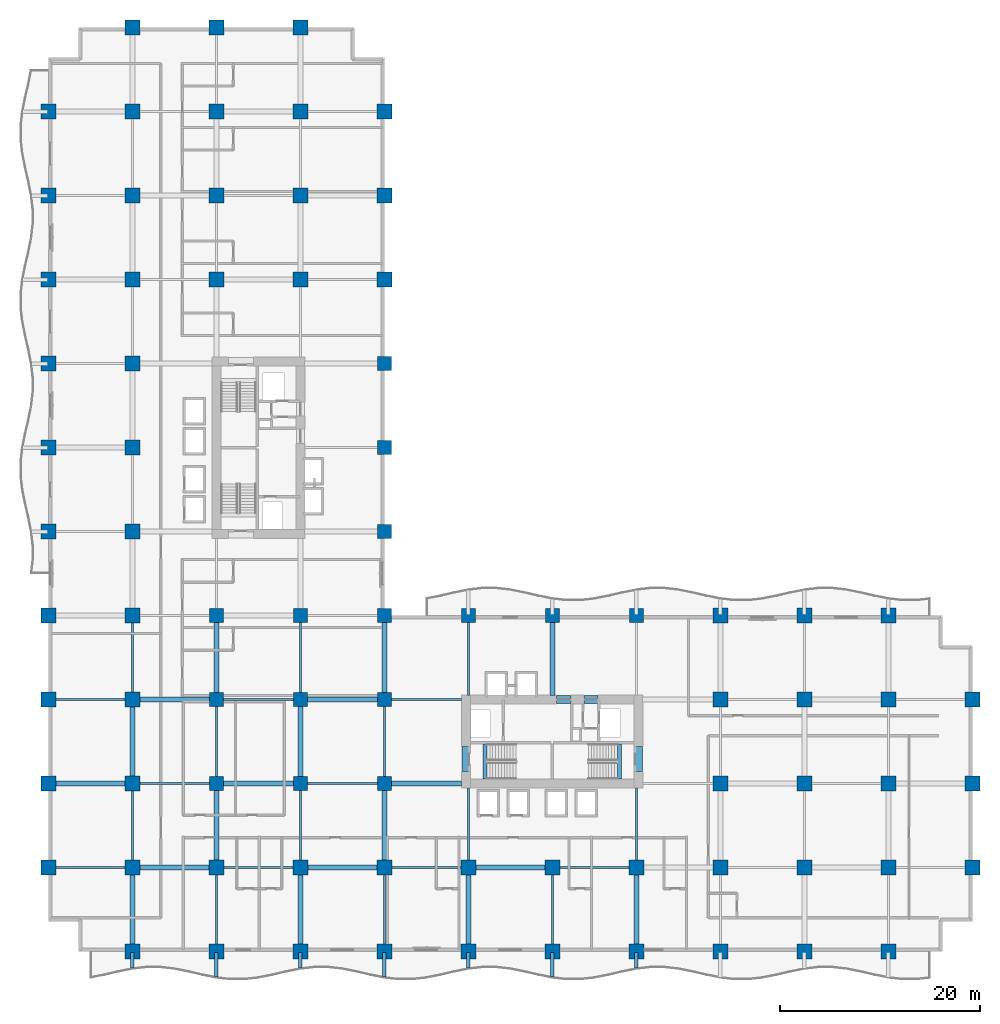
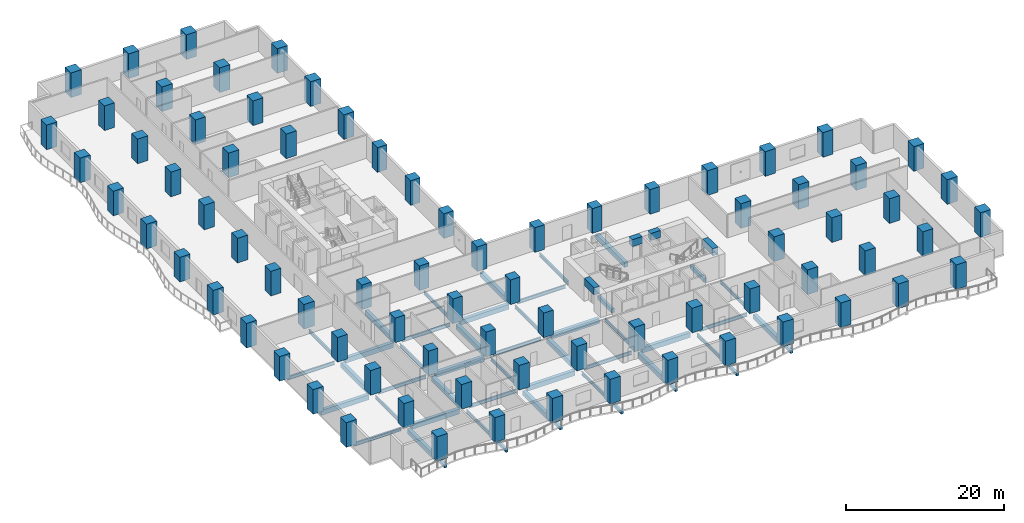
# One storey, part 1 of 20: 78 columns, 53 beams.
"""IFC4 building model written with IfcOpenShell, lengths in metres."""

from ifc_helpers import new_model, si_unit, direction, frame, origin, origin_2d, place, context, subcontext, project, spatial, rectangle, i_section, extrude, material, material_profile, profile_set, type_object, element, save


model = new_model("IFC4")

# Units and contexts
model_context = context("Model", 3, precision=1e-05, world=origin(), true_north=direction((0.0, 1.0)))
body_context = subcontext(model_context, "Body", "Model", "MODEL_VIEW")
ifc_project = project(units=[si_unit("LENGTHUNIT", "METRE"), si_unit("AREAUNIT", "SQUARE_METRE"), si_unit("VOLUMEUNIT", "CUBIC_METRE"), si_unit("PLANEANGLEUNIT", "RADIAN"), si_unit("MASSUNIT", "GRAM", prefix="KILO")], contexts=[model_context])

# Site, building, storey
site_placement = place(None, origin())
site = spatial("IfcSite", under=ifc_project, at=site_placement, CompositionType="ELEMENT")
building_placement = place(site_placement, origin())
building = spatial("IfcBuilding", under=site, at=building_placement, Name="Koriwani Terraces Tower", CompositionType="ELEMENT")
storey_placement = place(building_placement, frame((0.0, 0.0, 58.60009765625)))
storey = spatial("IfcBuildingStorey", under=building, at=storey_placement, Name="L13", CompositionType="ELEMENT", Elevation=58.60009765625)

# Columns
ifc_material_1 = material(Name="Concrete C60/75", Category="concrete")
ifc_material_profile_1 = material_profile(ifc_material_1, rectangle(XDim=1.39990234375, YDim=1.39990234375, at=origin_2d()), Name="Concrete C60/75", Category="LoadBearing")
ifc_profile_set_1 = profile_set([ifc_material_profile_1], Name="Concrete C60/75")
column_type_1 = type_object("IfcColumnType", Name="COL_RC_1400X1400", PredefinedType="COLUMN", material=ifc_profile_set_1)
for number, where, z_axis, x_axis, name in (
    (1, (16.800048828125, 16.800048828125, 0.0), (0.0, 0.0, 1.0), (1.0, 0.0, 0.0), "L13 Column 3/C"),
    (2, (16.800048828125, 25.199951171875, 0.0), (0.0, 0.0, 1.0), (1.0, 0.0, 0.0), "L13 Column 3/D"),
    (3, (16.800048828125, 33.60009765625, 0.0), (0.0, 0.0, 1.0), (1.0, 0.0, 0.0), "L13 Column 3/E"),
    (4, (25.199951171875, 16.800048828125, 0.0), (0.0, 0.0, 1.0), (1.0, 0.0, 0.0), "L13 Column 4/C"),
    (5, (25.199951171875, 25.199951171875, 0.0), (0.0, 0.0, 1.0), (1.0, 0.0, 0.0), "L13 Column 4/D"),
    (6, (25.199951171875, 33.60009765625, 0.0), (0.0, 0.0, 1.0), (1.0, 0.0, 0.0), "L13 Column 4/E"),
    (7, (33.60009765625, 16.800048828125, 0.0), (0.0, 0.0, 1.0), (1.0, 0.0, 0.0), "L13 Column 5/C"),
    (8, (33.60009765625, 25.199951171875, 0.0), (0.0, 0.0, 1.0), (1.0, 0.0, 0.0), "L13 Column 5/D"),
    (9, (33.60009765625, 33.60009765625, 0.0), (0.0, 0.0, 1.0), (1.0, 0.0, 0.0), "L13 Column 5/E"),
    (10, (33.60009765625, 42.0, 0.0), (0.0, 0.0, 1.0), (1.0, 0.0, 0.0), "L13 Column 5/F"),
    (11, (33.60009765625, 50.39990234375, 0.0), (0.0, 0.0, 1.0), (1.0, 0.0, 0.0), "L13 Column 5/G"),
    (12, (33.60009765625, 58.800048828125, 0.0), (0.0, 0.0, 1.0), (1.0, 0.0, 0.0), "L13 Column 5/H"),
    (13, (42.0, 33.60009765625, 0.0), (0.0, 0.0, 1.0), (1.0, 0.0, 0.0), "L13 Column 6/E"),
    (14, (50.39990234375, 33.60009765625, 0.0), (0.0, 0.0, 1.0), (1.0, 0.0, 0.0), "L13 Column 7/E"),
    (15, (58.800048828125, 33.60009765625, 0.0), (0.0, 0.0, 1.0), (1.0, 0.0, 0.0), "L13 Column 8/E"),
):
    element("IfcColumn", number, at=place(storey_placement, frame(where, z_axis=z_axis, x_axis=x_axis)), inside=storey, type_object=column_type_1, Name=name, PredefinedType="COLUMN", context=body_context, shape_type="SweptSolid", body=[
        extrude(rectangle(XDim=1.39990234375, YDim=1.39990234375, at=origin_2d()), origin(), (0.0, 0.0, 1.0), 3.7998046875),
    ])
ifc_material_profile_2 = material_profile(ifc_material_1, rectangle(XDim=1.5, YDim=1.5, at=origin_2d()), Name="Concrete C60/75", Category="LoadBearing")
ifc_profile_set_2 = profile_set([ifc_material_profile_2], Name="Concrete C60/75")
column_type_2 = type_object("IfcColumnType", Name="COL_RC_1500X1500", PredefinedType="COLUMN", material=ifc_profile_set_2)
for number, where, z_axis, x_axis, name in (
    (16, (0.0, 8.39990234375, 0.0), (0.0, 0.0, 1.0), (1.0, 0.0, 0.0), "L13 Column 1/B"),
    (17, (0.0, 16.800048828125, 0.0), (0.0, 0.0, 1.0), (1.0, 0.0, 0.0), "L13 Column 1/C"),
    (18, (0.0, 25.199951171875, 0.0), (0.0, 0.0, 1.0), (1.0, 0.0, 0.0), "L13 Column 1/D"),
    (19, (0.0, 33.60009765625, 0.0), (0.0, 0.0, 1.0), (1.0, 0.0, 0.0), "L13 Column 1/E"),
    (20, (0.0, 42.0, 0.0), (0.0, 0.0, 1.0), (1.0, 0.0, 0.0), "L13 Column 1/F"),
    (21, (0.0, 50.39990234375, 0.0), (0.0, 0.0, 1.0), (1.0, 0.0, 0.0), "L13 Column 1/G"),
    (22, (0.0, 58.800048828125, 0.0), (0.0, 0.0, 1.0), (1.0, 0.0, 0.0), "L13 Column 1/H"),
    (23, (0.0, 67.199951171875, 0.0), (0.0, 0.0, 1.0), (1.0, 0.0, 0.0), "L13 Column 1/I"),
    (24, (0.0, 75.60009765625, 0.0), (0.0, 0.0, 1.0), (1.0, 0.0, 0.0), "L13 Column 1/J"),
    (25, (0.0, 84.0, 0.0), (0.0, 0.0, 1.0), (1.0, 0.0, 0.0), "L13 Column 1/K"),
    (26, (8.39990234375, 0.0, 0.0), (0.0, 0.0, 1.0), (1.0, 0.0, 0.0), "L13 Column 2/A"),
    (27, (8.39990234375, 8.39990234375, 0.0), (0.0, 0.0, 1.0), (1.0, 0.0, 0.0), "L13 Column 2/B"),
    (28, (8.39990234375, 16.800048828125, 0.0), (0.0, 0.0, 1.0), (1.0, 0.0, 0.0), "L13 Column 2/C"),
    (29, (8.39990234375, 25.199951171875, 0.0), (0.0, 0.0, 1.0), (1.0, 0.0, 0.0), "L13 Column 2/D"),
    (30, (8.39990234375, 33.60009765625, 0.0), (0.0, 0.0, 1.0), (1.0, 0.0, 0.0), "L13 Column 2/E"),
    (31, (8.39990234375, 42.0, 0.0), (0.0, 0.0, 1.0), (1.0, 0.0, 0.0), "L13 Column 2/F"),
    (32, (8.39990234375, 50.39990234375, 0.0), (0.0, 0.0, 1.0), (1.0, 0.0, 0.0), "L13 Column 2/G"),
    (33, (8.39990234375, 58.800048828125, 0.0), (0.0, 0.0, 1.0), (1.0, 0.0, 0.0), "L13 Column 2/H"),
    (34, (8.39990234375, 67.199951171875, 0.0), (0.0, 0.0, 1.0), (1.0, 0.0, 0.0), "L13 Column 2/I"),
    (35, (8.39990234375, 75.60009765625, 0.0), (0.0, 0.0, 1.0), (1.0, 0.0, 0.0), "L13 Column 2/J"),
    (36, (8.39990234375, 84.0, 0.0), (0.0, 0.0, 1.0), (1.0, 0.0, 0.0), "L13 Column 2/K"),
    (37, (8.39990234375, 92.39990234375, 0.0), (0.0, 0.0, 1.0), (1.0, 0.0, 0.0), "L13 Column 2/L"),
    (38, (16.800048828125, 0.0, 0.0), (0.0, 0.0, 1.0), (1.0, 0.0, 0.0), "L13 Column 3/A"),
    (39, (16.800048828125, 8.39990234375, 0.0), (0.0, 0.0, 1.0), (1.0, 0.0, 0.0), "L13 Column 3/B"),
    (40, (16.800048828125, 67.199951171875, 0.0), (0.0, 0.0, 1.0), (1.0, 0.0, 0.0), "L13 Column 3/I"),
    (41, (16.800048828125, 75.60009765625, 0.0), (0.0, 0.0, 1.0), (1.0, 0.0, 0.0), "L13 Column 3/J"),
    (42, (16.800048828125, 84.0, 0.0), (0.0, 0.0, 1.0), (1.0, 0.0, 0.0), "L13 Column 3/K"),
    (43, (16.800048828125, 92.39990234375, 0.0), (0.0, 0.0, 1.0), (1.0, 0.0, 0.0), "L13 Column 3/L"),
    (44, (25.199951171875, 0.0, 0.0), (0.0, 0.0, 1.0), (1.0, 0.0, 0.0), "L13 Column 4/A"),
    (45, (25.199951171875, 8.39990234375, 0.0), (0.0, 0.0, 1.0), (1.0, 0.0, 0.0), "L13 Column 4/B"),
    (46, (25.199951171875, 67.199951171875, 0.0), (0.0, 0.0, 1.0), (1.0, 0.0, 0.0), "L13 Column 4/I"),
    (47, (25.199951171875, 75.60009765625, 0.0), (0.0, 0.0, 1.0), (1.0, 0.0, 0.0), "L13 Column 4/J"),
    (48, (25.199951171875, 84.0, 0.0), (0.0, 0.0, 1.0), (1.0, 0.0, 0.0), "L13 Column 4/K"),
    (49, (25.199951171875, 92.39990234375, 0.0), (0.0, 0.0, 1.0), (1.0, 0.0, 0.0), "L13 Column 4/L"),
    (50, (33.60009765625, 0.0, 0.0), (0.0, 0.0, 1.0), (1.0, 0.0, 0.0), "L13 Column 5/A"),
    (51, (33.60009765625, 8.39990234375, 0.0), (0.0, 0.0, 1.0), (1.0, 0.0, 0.0), "L13 Column 5/B"),
    (52, (33.60009765625, 67.199951171875, 0.0), (0.0, 0.0, 1.0), (1.0, 0.0, 0.0), "L13 Column 5/I"),
    (53, (33.60009765625, 75.60009765625, 0.0), (0.0, 0.0, 1.0), (1.0, 0.0, 0.0), "L13 Column 5/J"),
    (54, (33.60009765625, 84.0, 0.0), (0.0, 0.0, 1.0), (1.0, 0.0, 0.0), "L13 Column 5/K"),
    (55, (42.0, 0.0, 0.0), (0.0, 0.0, 1.0), (1.0, 0.0, 0.0), "L13 Column 6/A"),
    (56, (42.0, 8.39990234375, 0.0), (0.0, 0.0, 1.0), (1.0, 0.0, 0.0), "L13 Column 6/B"),
    (57, (50.39990234375, 0.0, 0.0), (0.0, 0.0, 1.0), (1.0, 0.0, 0.0), "L13 Column 7/A"),
    (58, (50.39990234375, 8.39990234375, 0.0), (0.0, 0.0, 1.0), (1.0, 0.0, 0.0), "L13 Column 7/B"),
    (59, (58.800048828125, 0.0, 0.0), (0.0, 0.0, 1.0), (1.0, 0.0, 0.0), "L13 Column 8/A"),
    (60, (58.800048828125, 8.39990234375, 0.0), (0.0, 0.0, 1.0), (1.0, 0.0, 0.0), "L13 Column 8/B"),
    (61, (67.199951171875, 0.0, 0.0), (0.0, 0.0, 1.0), (1.0, 0.0, 0.0), "L13 Column 9/A"),
    (62, (67.199951171875, 8.39990234375, 0.0), (0.0, 0.0, 1.0), (1.0, 0.0, 0.0), "L13 Column 9/B"),
    (63, (67.199951171875, 16.800048828125, 0.0), (0.0, 0.0, 1.0), (1.0, 0.0, 0.0), "L13 Column 9/C"),
    (64, (67.199951171875, 25.199951171875, 0.0), (0.0, 0.0, 1.0), (1.0, 0.0, 0.0), "L13 Column 9/D"),
    (65, (67.199951171875, 33.60009765625, 0.0), (0.0, 0.0, 1.0), (1.0, 0.0, 0.0), "L13 Column 9/E"),
    (66, (75.60009765625, 0.0, 0.0), (0.0, 0.0, 1.0), (1.0, 0.0, 0.0), "L13 Column 10/A"),
    (67, (75.60009765625, 8.39990234375, 0.0), (0.0, 0.0, 1.0), (1.0, 0.0, 0.0), "L13 Column 10/B"),
    (68, (75.60009765625, 16.800048828125, 0.0), (0.0, 0.0, 1.0), (1.0, 0.0, 0.0), "L13 Column 10/C"),
    (69, (75.60009765625, 25.199951171875, 0.0), (0.0, 0.0, 1.0), (1.0, 0.0, 0.0), "L13 Column 10/D"),
    (70, (75.60009765625, 33.60009765625, 0.0), (0.0, 0.0, 1.0), (1.0, 0.0, 0.0), "L13 Column 10/E"),
    (71, (84.0, 0.0, 0.0), (0.0, 0.0, 1.0), (1.0, 0.0, 0.0), "L13 Column 11/A"),
    (72, (84.0, 8.39990234375, 0.0), (0.0, 0.0, 1.0), (1.0, 0.0, 0.0), "L13 Column 11/B"),
    (73, (84.0, 16.800048828125, 0.0), (0.0, 0.0, 1.0), (1.0, 0.0, 0.0), "L13 Column 11/C"),
    (74, (84.0, 25.199951171875, 0.0), (0.0, 0.0, 1.0), (1.0, 0.0, 0.0), "L13 Column 11/D"),
    (75, (84.0, 33.60009765625, 0.0), (0.0, 0.0, 1.0), (1.0, 0.0, 0.0), "L13 Column 11/E"),
    (76, (92.39990234375, 8.39990234375, 0.0), (0.0, 0.0, 1.0), (1.0, 0.0, 0.0), "L13 Column 12/B"),
    (77, (92.39990234375, 16.800048828125, 0.0), (0.0, 0.0, 1.0), (1.0, 0.0, 0.0), "L13 Column 12/C"),
    (78, (92.39990234375, 25.199951171875, 0.0), (0.0, 0.0, 1.0), (1.0, 0.0, 0.0), "L13 Column 12/D"),
):
    element("IfcColumn", number, at=place(storey_placement, frame(where, z_axis=z_axis, x_axis=x_axis)), inside=storey, type_object=column_type_2, Name=name, PredefinedType="COLUMN", context=body_context, shape_type="SweptSolid", body=[
        extrude(rectangle(XDim=1.5, YDim=1.5, at=origin_2d()), origin(), (0.0, 0.0, 1.0), 3.7998046875),
    ])

# Beams
ifc_material_2 = material(Name="Concrete C40/50", Category="concrete")
ifc_material_profile_3 = material_profile(ifc_material_2, rectangle(XDim=0.35009765625, YDim=0.449951171875, at=origin_2d()), Name="Concrete C40/50", Category="LoadBearing")
ifc_profile_set_3 = profile_set([ifc_material_profile_3], Name="Concrete C40/50")
beam_type_1 = type_object("IfcBeamType", Name="BEAM_RC_BALCONY_RIB_350X450", PredefinedType="JOIST", material=ifc_profile_set_3)
beam_1_placement = place(storey_placement, frame((8.39990234375, -1.633056640625, -0.47509765625), z_axis=(0.0, 1.0, 0.0), x_axis=(-1.0, 0.0, 0.0)))
element("IfcBeam", 79, at=beam_1_placement, inside=storey, type_object=beam_type_1, Name="L13 Balcony Bracket Rib S-1", PredefinedType="JOIST", context=body_context, shape_type="SweptSolid", body=[
    extrude(rectangle(XDim=0.35009765625, YDim=0.449951171875, at=origin_2d()), origin(), (0.0, 0.0, 1.0), 1.532958984375),
])
beam_2_placement = place(storey_placement, frame((16.800048828125, -2.516845703125, -0.47509765625), z_axis=(0.0, 1.0, 0.0), x_axis=(-1.0, 0.0, 0.0)))
element("IfcBeam", 80, at=beam_2_placement, inside=storey, type_object=beam_type_1, Name="L13 Balcony Bracket Rib S-2", PredefinedType="JOIST", context=body_context, shape_type="SweptSolid", body=[
    extrude(rectangle(XDim=0.35009765625, YDim=0.449951171875, at=origin_2d()), origin(), (0.0, 0.0, 1.0), 2.416748046875),
])
beam_3_placement = place(storey_placement, frame((25.199951171875, -1.633056640625, -0.47509765625), z_axis=(0.0, 1.0, 0.0), x_axis=(-1.0, 0.0, 0.0)))
element("IfcBeam", 81, at=beam_3_placement, inside=storey, type_object=beam_type_1, Name="L13 Balcony Bracket Rib S-3", PredefinedType="JOIST", context=body_context, shape_type="SweptSolid", body=[
    extrude(rectangle(XDim=0.35009765625, YDim=0.449951171875, at=origin_2d()), origin(), (0.0, 0.0, 1.0), 1.532958984375),
])
beam_4_placement = place(storey_placement, frame((33.60009765625, -2.516845703125, -0.47509765625), z_axis=(0.0, 1.0, 0.0), x_axis=(-1.0, 0.0, 0.0)))
element("IfcBeam", 82, at=beam_4_placement, inside=storey, type_object=beam_type_1, Name="L13 Balcony Bracket Rib S-4", PredefinedType="JOIST", context=body_context, shape_type="SweptSolid", body=[
    extrude(rectangle(XDim=0.35009765625, YDim=0.449951171875, at=origin_2d()), origin(), (0.0, 0.0, 1.0), 2.416748046875),
])
beam_5_placement = place(storey_placement, frame((42.0, -1.633056640625, -0.47509765625), z_axis=(0.0, 1.0, 0.0), x_axis=(-1.0, 0.0, 0.0)))
element("IfcBeam", 83, at=beam_5_placement, inside=storey, type_object=beam_type_1, Name="L13 Balcony Bracket Rib S-5", PredefinedType="JOIST", context=body_context, shape_type="SweptSolid", body=[
    extrude(rectangle(XDim=0.35009765625, YDim=0.449951171875, at=origin_2d()), origin(), (0.0, 0.0, 1.0), 1.532958984375),
])
beam_6_placement = place(storey_placement, frame((50.39990234375, -2.516845703125, -0.47509765625), z_axis=(0.0, 1.0, 0.0), x_axis=(-1.0, 0.0, 0.0)))
element("IfcBeam", 84, at=beam_6_placement, inside=storey, type_object=beam_type_1, Name="L13 Balcony Bracket Rib S-6", PredefinedType="JOIST", context=body_context, shape_type="SweptSolid", body=[
    extrude(rectangle(XDim=0.35009765625, YDim=0.449951171875, at=origin_2d()), origin(), (0.0, 0.0, 1.0), 2.416748046875),
])
beam_7_placement = place(storey_placement, frame((58.800048828125, -1.633056640625, -0.47509765625), z_axis=(0.0, 1.0, 0.0), x_axis=(-1.0, 0.0, 0.0)))
element("IfcBeam", 85, at=beam_7_placement, inside=storey, type_object=beam_type_1, Name="L13 Balcony Bracket Rib S-7", PredefinedType="JOIST", context=body_context, shape_type="SweptSolid", body=[
    extrude(rectangle(XDim=0.35009765625, YDim=0.449951171875, at=origin_2d()), origin(), (0.0, 0.0, 1.0), 1.532958984375),
])
ifc_material_profile_4 = material_profile(ifc_material_1, rectangle(XDim=0.800048828125, YDim=1.10009765625, at=origin_2d()), Name="Concrete C60/75", Category="LoadBearing")
ifc_profile_set_4 = profile_set([ifc_material_profile_4], Name="Concrete C60/75")
beam_type_2 = type_object("IfcBeamType", Name="BEAM_RC_COUPLING_800X1100", PredefinedType="LINTEL", material=ifc_profile_set_4)
beam_8_placement = place(storey_placement, frame((50.800048828125, 25.199951171875, 3.0), z_axis=(1.0, 0.0, 0.0), x_axis=(0.0, 1.0, 0.0)))
element("IfcBeam", 86, at=beam_8_placement, inside=storey, type_object=beam_type_2, Name="L13 Core Coupling Lintel Beam EN1", PredefinedType="LINTEL", context=body_context, shape_type="SweptSolid", body=[
    extrude(rectangle(XDim=0.800048828125, YDim=1.10009765625, at=origin_2d()), origin(), (0.0, 0.0, 1.0), 1.47998046875),
])
beam_9_placement = place(storey_placement, frame((53.550048828125, 25.199951171875, 3.0), z_axis=(1.0, 0.0, 0.0), x_axis=(0.0, 1.0, 0.0)))
element("IfcBeam", 87, at=beam_9_placement, inside=storey, type_object=beam_type_2, Name="L13 Core Coupling Lintel Beam EN2", PredefinedType="LINTEL", context=body_context, shape_type="SweptSolid", body=[
    extrude(rectangle(XDim=0.800048828125, YDim=1.10009765625, at=origin_2d()), origin(), (0.0, 0.0, 1.0), 1.39990234375),
])
for number, where, z_axis, x_axis, name in (
    (88, (41.75, 18.0, 3.0), (0.0, 1.0, 0.0), (-1.0, 0.0, 0.0), "L13 Core Coupling Lintel Beam EW"),
    (89, (59.0, 18.0, 3.0), (0.0, 1.0, 0.0), (-1.0, 0.0, 0.0), "L13 Core Coupling Lintel Beam EE"),
):
    element("IfcBeam", number, at=place(storey_placement, frame(where, z_axis=z_axis, x_axis=x_axis)), inside=storey, type_object=beam_type_2, Name=name, PredefinedType="LINTEL", context=body_context, shape_type="SweptSolid", body=[
        extrude(rectangle(XDim=0.800048828125, YDim=1.10009765625, at=origin_2d()), origin(), (0.0, 0.0, 1.0), 2.5),
    ])
ifc_material_profile_5 = material_profile(ifc_material_2, rectangle(XDim=0.39990234375, YDim=0.60009765625, at=origin_2d()), Name="Concrete C40/50", Category="LoadBearing")
ifc_profile_set_5 = profile_set([ifc_material_profile_5], Name="Concrete C40/50")
beam_type_3 = type_object("IfcBeamType", Name="BEAM_RC_GRID_400X600", PredefinedType="BEAM", material=ifc_profile_set_5)
for number, where, z_axis, x_axis, name in (
    (90, (43.655029296875, 17.25, -0.300048828125), (0.0, 1.0, 0.0), (-1.0, 0.0, 0.0), "L13 Stairwell Header Trimmer Beam ST-E1"),
    (91, (57.094970703125, 17.25, -0.300048828125), (0.0, 1.0, 0.0), (-1.0, 0.0, 0.0), "L13 Stairwell Header Trimmer Beam ST-E2"),
):
    element("IfcBeam", number, at=place(storey_placement, frame(where, z_axis=z_axis, x_axis=x_axis)), inside=storey, type_object=beam_type_3, Name=name, PredefinedType="BEAM", context=body_context, shape_type="SweptSolid", body=[
        extrude(rectangle(XDim=0.39990234375, YDim=0.60009765625, at=origin_2d()), origin(), (0.0, 0.0, 1.0), 3.5),
    ])
ifc_material_3 = material(Name="Concrete C50/60", Category="concrete")
ifc_material_profile_6 = material_profile(ifc_material_3, rectangle(XDim=0.5, YDim=0.75, at=origin_2d()), Name="Concrete C50/60", Category="LoadBearing")
ifc_profile_set_6 = profile_set([ifc_material_profile_6], Name="Concrete C50/60")
beam_type_4 = type_object("IfcBeamType", Name="BEAM_RC_GRID_500X750", PredefinedType="BEAM", material=ifc_profile_set_6)
for number, where, z_axis, x_axis, name in (
    (92, (9.1298828125, 8.39990234375, -0.625), (1.0, 0.0, 0.0), (0.0, 1.0, 0.0), "L13 Grid Beam B (8.4-16.8m)"),
    (93, (25.929931640625, 8.39990234375, -0.625), (1.0, 0.0, 0.0), (0.0, 1.0, 0.0), "L13 Grid Beam B (25.2-33.6m)"),
):
    element("IfcBeam", number, at=place(storey_placement, frame(where, z_axis=z_axis, x_axis=x_axis)), inside=storey, type_object=beam_type_4, Name=name, PredefinedType="BEAM", context=body_context, shape_type="SweptSolid", body=[
        extrude(rectangle(XDim=0.5, YDim=0.75, at=origin_2d()), origin(), (0.0, 0.0, 1.0), 6.940185546875),
    ])
for number, where, z_axis, x_axis, name in (
    (94, (42.72998046875, 8.39990234375, -0.625), (1.0, 0.0, 0.0), (0.0, 1.0, 0.0), "L13 Grid Beam B (42.0-50.4m)"),
    (95, (0.72998046875, 16.800048828125, -0.625), (1.0, 0.0, 0.0), (0.0, 1.0, 0.0), "L13 Grid Beam C (0.0-8.4m)"),
):
    element("IfcBeam", number, at=place(storey_placement, frame(where, z_axis=z_axis, x_axis=x_axis)), inside=storey, type_object=beam_type_4, Name=name, PredefinedType="BEAM", context=body_context, shape_type="SweptSolid", body=[
        extrude(rectangle(XDim=0.5, YDim=0.75, at=origin_2d()), origin(), (0.0, 0.0, 1.0), 6.93994140625),
    ])
for number, where, z_axis, x_axis, name in (
    (96, (17.47998046875, 16.800048828125, -0.625), (1.0, 0.0, 0.0), (0.0, 1.0, 0.0), "L13 Grid Beam C (16.8-25.2m)"),
    (97, (34.280029296875, 16.800048828125, -0.625), (1.0, 0.0, 0.0), (0.0, 1.0, 0.0), "L13 Grid Beam C (33.6-42.0m)"),
):
    element("IfcBeam", number, at=place(storey_placement, frame(where, z_axis=z_axis, x_axis=x_axis)), inside=storey, type_object=beam_type_4, Name=name, PredefinedType="BEAM", context=body_context, shape_type="SweptSolid", body=[
        extrude(rectangle(XDim=0.5, YDim=0.75, at=origin_2d()), origin(), (0.0, 0.0, 1.0), 7.0400390625),
    ])
beam_10_placement = place(storey_placement, frame((9.1298828125, 25.199951171875, -0.625), z_axis=(1.0, 0.0, 0.0), x_axis=(0.0, 1.0, 0.0)))
element("IfcBeam", 98, at=beam_10_placement, inside=storey, type_object=beam_type_4, Name="L13 Grid Beam D (8.4-16.8m)", PredefinedType="BEAM", context=body_context, shape_type="SweptSolid", body=[
    extrude(rectangle(XDim=0.5, YDim=0.75, at=origin_2d()), origin(), (0.0, 0.0, 1.0), 6.990234375),
])
beam_11_placement = place(storey_placement, frame((25.8798828125, 25.199951171875, -0.625), z_axis=(1.0, 0.0, 0.0), x_axis=(0.0, 1.0, 0.0)))
element("IfcBeam", 99, at=beam_11_placement, inside=storey, type_object=beam_type_4, Name="L13 Grid Beam D (25.2-33.6m)", PredefinedType="BEAM", context=body_context, shape_type="SweptSolid", body=[
    extrude(rectangle(XDim=0.5, YDim=0.75, at=origin_2d()), origin(), (0.0, 0.0, 1.0), 7.0400390625),
])
for number, where, z_axis, x_axis, name in (
    (100, (8.39990234375, 0.72998046875, -0.625), (0.0, 1.0, 0.0), (-1.0, 0.0, 0.0), "L13 Grid Beam 2 (0.0-8.4m)"),
    (101, (8.39990234375, 17.530029296875, -0.625), (0.0, 1.0, 0.0), (-1.0, 0.0, 0.0), "L13 Grid Beam 2 (16.8-25.2m)"),
):
    element("IfcBeam", number, at=place(storey_placement, frame(where, z_axis=z_axis, x_axis=x_axis)), inside=storey, type_object=beam_type_4, Name=name, PredefinedType="BEAM", context=body_context, shape_type="SweptSolid", body=[
        extrude(rectangle(XDim=0.5, YDim=0.75, at=origin_2d()), origin(), (0.0, 0.0, 1.0), 6.93994140625),
    ])
beam_12_placement = place(storey_placement, frame((16.800048828125, 9.1298828125, -0.625), z_axis=(0.0, 1.0, 0.0), x_axis=(-1.0, 0.0, 0.0)))
element("IfcBeam", 102, at=beam_12_placement, inside=storey, type_object=beam_type_4, Name="L13 Grid Beam 3 (8.4-16.8m)", PredefinedType="BEAM", context=body_context, shape_type="SweptSolid", body=[
    extrude(rectangle(XDim=0.5, YDim=0.75, at=origin_2d()), origin(), (0.0, 0.0, 1.0), 6.990234375),
])
beam_13_placement = place(storey_placement, frame((16.800048828125, 25.8798828125, -0.625), z_axis=(0.0, 1.0, 0.0), x_axis=(-1.0, 0.0, 0.0)))
element("IfcBeam", 103, at=beam_13_placement, inside=storey, type_object=beam_type_4, Name="L13 Grid Beam 3 (25.2-33.6m)", PredefinedType="BEAM", context=body_context, shape_type="SweptSolid", body=[
    extrude(rectangle(XDim=0.5, YDim=0.75, at=origin_2d()), origin(), (0.0, 0.0, 1.0), 7.0400390625),
])
beam_14_placement = place(storey_placement, frame((25.199951171875, 0.72998046875, -0.625), z_axis=(0.0, 1.0, 0.0), x_axis=(-1.0, 0.0, 0.0)))
element("IfcBeam", 104, at=beam_14_placement, inside=storey, type_object=beam_type_4, Name="L13 Grid Beam 4 (0.0-8.4m)", PredefinedType="BEAM", context=body_context, shape_type="SweptSolid", body=[
    extrude(rectangle(XDim=0.5, YDim=0.75, at=origin_2d()), origin(), (0.0, 0.0, 1.0), 6.93994140625),
])
beam_15_placement = place(storey_placement, frame((25.199951171875, 17.47998046875, -0.625), z_axis=(0.0, 1.0, 0.0), x_axis=(-1.0, 0.0, 0.0)))
element("IfcBeam", 105, at=beam_15_placement, inside=storey, type_object=beam_type_4, Name="L13 Grid Beam 4 (16.8-25.2m)", PredefinedType="BEAM", context=body_context, shape_type="SweptSolid", body=[
    extrude(rectangle(XDim=0.5, YDim=0.75, at=origin_2d()), origin(), (0.0, 0.0, 1.0), 7.0400390625),
])
beam_16_placement = place(storey_placement, frame((33.60009765625, 9.1298828125, -0.625), z_axis=(0.0, 1.0, 0.0), x_axis=(-1.0, 0.0, 0.0)))
element("IfcBeam", 106, at=beam_16_placement, inside=storey, type_object=beam_type_4, Name="L13 Grid Beam 5 (8.4-16.8m)", PredefinedType="BEAM", context=body_context, shape_type="SweptSolid", body=[
    extrude(rectangle(XDim=0.5, YDim=0.75, at=origin_2d()), origin(), (0.0, 0.0, 1.0), 6.990234375),
])
beam_17_placement = place(storey_placement, frame((33.60009765625, 25.8798828125, -0.625), z_axis=(0.0, 1.0, 0.0), x_axis=(-1.0, 0.0, 0.0)))
element("IfcBeam", 107, at=beam_17_placement, inside=storey, type_object=beam_type_4, Name="L13 Grid Beam 5 (25.2-33.6m)", PredefinedType="BEAM", context=body_context, shape_type="SweptSolid", body=[
    extrude(rectangle(XDim=0.5, YDim=0.75, at=origin_2d()), origin(), (0.0, 0.0, 1.0), 7.0400390625),
])
beam_18_placement = place(storey_placement, frame((42.0, 0.72998046875, -0.625), z_axis=(0.0, 1.0, 0.0), x_axis=(-1.0, 0.0, 0.0)))
element("IfcBeam", 108, at=beam_18_placement, inside=storey, type_object=beam_type_4, Name="L13 Grid Beam 6 (0.0-8.4m)", PredefinedType="BEAM", context=body_context, shape_type="SweptSolid", body=[
    extrude(rectangle(XDim=0.5, YDim=0.75, at=origin_2d()), origin(), (0.0, 0.0, 1.0), 6.93994140625),
])
beam_19_placement = place(storey_placement, frame((50.39990234375, 25.6298828125, -0.625), z_axis=(0.0, 1.0, 0.0), x_axis=(-1.0, 0.0, 0.0)))
element("IfcBeam", 109, at=beam_19_placement, inside=storey, type_object=beam_type_4, Name="L13 Grid Beam 7 (25.2-33.6m)", PredefinedType="BEAM", context=body_context, shape_type="SweptSolid", body=[
    extrude(rectangle(XDim=0.5, YDim=0.75, at=origin_2d()), origin(), (0.0, 0.0, 1.0), 7.2900390625),
])
beam_20_placement = place(storey_placement, frame((58.800048828125, 0.72998046875, -0.625), z_axis=(0.0, 1.0, 0.0), x_axis=(-1.0, 0.0, 0.0)))
element("IfcBeam", 110, at=beam_20_placement, inside=storey, type_object=beam_type_4, Name="L13 Grid Beam 8 (0.0-8.4m)", PredefinedType="BEAM", context=body_context, shape_type="SweptSolid", body=[
    extrude(rectangle(XDim=0.5, YDim=0.75, at=origin_2d()), origin(), (0.0, 0.0, 1.0), 6.93994140625),
])
ifc_material_4 = material(Name="Steel ASTM A572 Grade 50", Category="steel")
ifc_material_profile_7 = material_profile(ifc_material_4, i_section(OverallWidth=0.2109375, OverallDepth=0.5390625, WebThickness=0.01171875, FlangeThickness=0.018798828125, at=origin_2d()), Name="Steel ASTM A572 Grade 50", Category="LoadBearing")
ifc_profile_set_7 = profile_set([ifc_material_profile_7], Name="Steel ASTM A572 Grade 50")
beam_type_5 = type_object("IfcBeamType", Name="STEEL_BEAM_W530X109", PredefinedType="BEAM", material=ifc_profile_set_7)
for number, where, z_axis, x_axis, name in (
    (111, (0.72998046875, 8.39990234375, -0.51953125), (1.0, 0.0, 0.0), (0.0, 1.0, 0.0), "L13 Grid Beam B (0.0-8.4m)"),
    (112, (17.530029296875, 8.39990234375, -0.51953125), (1.0, 0.0, 0.0), (0.0, 1.0, 0.0), "L13 Grid Beam B (16.8-25.2m)"),
    (113, (34.330078125, 8.39990234375, -0.51953125), (1.0, 0.0, 0.0), (0.0, 1.0, 0.0), "L13 Grid Beam B (33.6-42.0m)"),
):
    element("IfcBeam", number, at=place(storey_placement, frame(where, z_axis=z_axis, x_axis=x_axis)), inside=storey, type_object=beam_type_5, Name=name, PredefinedType="BEAM", context=body_context, shape_type="SweptSolid", body=[
        extrude(i_section(OverallWidth=0.2109375, OverallDepth=0.5390625, WebThickness=0.01171875, FlangeThickness=0.018798828125, at=origin_2d()), origin(), (0.0, 0.0, 1.0), 6.93994140625),
    ])
beam_21_placement = place(storey_placement, frame((51.1298828125, 8.39990234375, -0.51953125), z_axis=(1.0, 0.0, 0.0), x_axis=(0.0, 1.0, 0.0)))
element("IfcBeam", 114, at=beam_21_placement, inside=storey, type_object=beam_type_5, Name="L13 Grid Beam B (50.4-58.8m)", PredefinedType="BEAM", context=body_context, shape_type="SweptSolid", body=[
    extrude(i_section(OverallWidth=0.2109375, OverallDepth=0.5390625, WebThickness=0.01171875, FlangeThickness=0.018798828125, at=origin_2d()), origin(), (0.0, 0.0, 1.0), 6.940185546875),
])
beam_22_placement = place(storey_placement, frame((9.1298828125, 16.800048828125, -0.51953125), z_axis=(1.0, 0.0, 0.0), x_axis=(0.0, 1.0, 0.0)))
element("IfcBeam", 115, at=beam_22_placement, inside=storey, type_object=beam_type_5, Name="L13 Grid Beam C (8.4-16.8m)", PredefinedType="BEAM", context=body_context, shape_type="SweptSolid", body=[
    extrude(i_section(OverallWidth=0.2109375, OverallDepth=0.5390625, WebThickness=0.01171875, FlangeThickness=0.018798828125, at=origin_2d()), origin(), (0.0, 0.0, 1.0), 6.990234375),
])
beam_23_placement = place(storey_placement, frame((25.8798828125, 16.800048828125, -0.51953125), z_axis=(1.0, 0.0, 0.0), x_axis=(0.0, 1.0, 0.0)))
element("IfcBeam", 116, at=beam_23_placement, inside=storey, type_object=beam_type_5, Name="L13 Grid Beam C (25.2-33.6m)", PredefinedType="BEAM", context=body_context, shape_type="SweptSolid", body=[
    extrude(i_section(OverallWidth=0.2109375, OverallDepth=0.5390625, WebThickness=0.01171875, FlangeThickness=0.018798828125, at=origin_2d()), origin(), (0.0, 0.0, 1.0), 7.0400390625),
])
beam_24_placement = place(storey_placement, frame((0.72998046875, 25.199951171875, -0.51953125), z_axis=(1.0, 0.0, 0.0), x_axis=(0.0, 1.0, 0.0)))
element("IfcBeam", 117, at=beam_24_placement, inside=storey, type_object=beam_type_5, Name="L13 Grid Beam D (0.0-8.4m)", PredefinedType="BEAM", context=body_context, shape_type="SweptSolid", body=[
    extrude(i_section(OverallWidth=0.2109375, OverallDepth=0.5390625, WebThickness=0.01171875, FlangeThickness=0.018798828125, at=origin_2d()), origin(), (0.0, 0.0, 1.0), 6.93994140625),
])
for number, where, z_axis, x_axis, name in (
    (118, (17.47998046875, 25.199951171875, -0.51953125), (1.0, 0.0, 0.0), (0.0, 1.0, 0.0), "L13 Grid Beam D (16.8-25.2m)"),
    (119, (34.280029296875, 25.199951171875, -0.51953125), (1.0, 0.0, 0.0), (0.0, 1.0, 0.0), "L13 Grid Beam D (33.6-42.0m)"),
):
    element("IfcBeam", number, at=place(storey_placement, frame(where, z_axis=z_axis, x_axis=x_axis)), inside=storey, type_object=beam_type_5, Name=name, PredefinedType="BEAM", context=body_context, shape_type="SweptSolid", body=[
        extrude(i_section(OverallWidth=0.2109375, OverallDepth=0.5390625, WebThickness=0.01171875, FlangeThickness=0.018798828125, at=origin_2d()), origin(), (0.0, 0.0, 1.0), 7.0400390625),
    ])
for number, where, z_axis, x_axis, name in (
    (120, (8.39990234375, 9.1298828125, -0.51953125), (0.0, 1.0, 0.0), (-1.0, 0.0, 0.0), "L13 Grid Beam 2 (8.4-16.8m)"),
    (121, (8.39990234375, 25.929931640625, -0.51953125), (0.0, 1.0, 0.0), (-1.0, 0.0, 0.0), "L13 Grid Beam 2 (25.2-33.6m)"),
):
    element("IfcBeam", number, at=place(storey_placement, frame(where, z_axis=z_axis, x_axis=x_axis)), inside=storey, type_object=beam_type_5, Name=name, PredefinedType="BEAM", context=body_context, shape_type="SweptSolid", body=[
        extrude(i_section(OverallWidth=0.2109375, OverallDepth=0.5390625, WebThickness=0.01171875, FlangeThickness=0.018798828125, at=origin_2d()), origin(), (0.0, 0.0, 1.0), 6.940185546875),
    ])
beam_25_placement = place(storey_placement, frame((16.800048828125, 0.72998046875, -0.51953125), z_axis=(0.0, 1.0, 0.0), x_axis=(-1.0, 0.0, 0.0)))
element("IfcBeam", 122, at=beam_25_placement, inside=storey, type_object=beam_type_5, Name="L13 Grid Beam 3 (0.0-8.4m)", PredefinedType="BEAM", context=body_context, shape_type="SweptSolid", body=[
    extrude(i_section(OverallWidth=0.2109375, OverallDepth=0.5390625, WebThickness=0.01171875, FlangeThickness=0.018798828125, at=origin_2d()), origin(), (0.0, 0.0, 1.0), 6.93994140625),
])
beam_26_placement = place(storey_placement, frame((16.800048828125, 17.47998046875, -0.51953125), z_axis=(0.0, 1.0, 0.0), x_axis=(-1.0, 0.0, 0.0)))
element("IfcBeam", 123, at=beam_26_placement, inside=storey, type_object=beam_type_5, Name="L13 Grid Beam 3 (16.8-25.2m)", PredefinedType="BEAM", context=body_context, shape_type="SweptSolid", body=[
    extrude(i_section(OverallWidth=0.2109375, OverallDepth=0.5390625, WebThickness=0.01171875, FlangeThickness=0.018798828125, at=origin_2d()), origin(), (0.0, 0.0, 1.0), 7.0400390625),
])
beam_27_placement = place(storey_placement, frame((25.199951171875, 9.1298828125, -0.51953125), z_axis=(0.0, 1.0, 0.0), x_axis=(-1.0, 0.0, 0.0)))
element("IfcBeam", 124, at=beam_27_placement, inside=storey, type_object=beam_type_5, Name="L13 Grid Beam 4 (8.4-16.8m)", PredefinedType="BEAM", context=body_context, shape_type="SweptSolid", body=[
    extrude(i_section(OverallWidth=0.2109375, OverallDepth=0.5390625, WebThickness=0.01171875, FlangeThickness=0.018798828125, at=origin_2d()), origin(), (0.0, 0.0, 1.0), 6.990234375),
])
beam_28_placement = place(storey_placement, frame((25.199951171875, 25.8798828125, -0.51953125), z_axis=(0.0, 1.0, 0.0), x_axis=(-1.0, 0.0, 0.0)))
element("IfcBeam", 125, at=beam_28_placement, inside=storey, type_object=beam_type_5, Name="L13 Grid Beam 4 (25.2-33.6m)", PredefinedType="BEAM", context=body_context, shape_type="SweptSolid", body=[
    extrude(i_section(OverallWidth=0.2109375, OverallDepth=0.5390625, WebThickness=0.01171875, FlangeThickness=0.018798828125, at=origin_2d()), origin(), (0.0, 0.0, 1.0), 7.0400390625),
])
beam_29_placement = place(storey_placement, frame((33.60009765625, 0.72998046875, -0.51953125), z_axis=(0.0, 1.0, 0.0), x_axis=(-1.0, 0.0, 0.0)))
element("IfcBeam", 126, at=beam_29_placement, inside=storey, type_object=beam_type_5, Name="L13 Grid Beam 5 (0.0-8.4m)", PredefinedType="BEAM", context=body_context, shape_type="SweptSolid", body=[
    extrude(i_section(OverallWidth=0.2109375, OverallDepth=0.5390625, WebThickness=0.01171875, FlangeThickness=0.018798828125, at=origin_2d()), origin(), (0.0, 0.0, 1.0), 6.93994140625),
])
beam_30_placement = place(storey_placement, frame((33.60009765625, 17.47998046875, -0.51953125), z_axis=(0.0, 1.0, 0.0), x_axis=(-1.0, 0.0, 0.0)))
element("IfcBeam", 127, at=beam_30_placement, inside=storey, type_object=beam_type_5, Name="L13 Grid Beam 5 (16.8-25.2m)", PredefinedType="BEAM", context=body_context, shape_type="SweptSolid", body=[
    extrude(i_section(OverallWidth=0.2109375, OverallDepth=0.5390625, WebThickness=0.01171875, FlangeThickness=0.018798828125, at=origin_2d()), origin(), (0.0, 0.0, 1.0), 7.0400390625),
])
beam_31_placement = place(storey_placement, frame((42.0, 9.1298828125, -0.51953125), z_axis=(0.0, 1.0, 0.0), x_axis=(-1.0, 0.0, 0.0)))
element("IfcBeam", 128, at=beam_31_placement, inside=storey, type_object=beam_type_5, Name="L13 Grid Beam 6 (8.4-16.8m)", PredefinedType="BEAM", context=body_context, shape_type="SweptSolid", body=[
    extrude(i_section(OverallWidth=0.2109375, OverallDepth=0.5390625, WebThickness=0.01171875, FlangeThickness=0.018798828125, at=origin_2d()), origin(), (0.0, 0.0, 1.0), 7.240234375),
])
beam_32_placement = place(storey_placement, frame((42.0, 25.6298828125, -0.51953125), z_axis=(0.0, 1.0, 0.0), x_axis=(-1.0, 0.0, 0.0)))
element("IfcBeam", 129, at=beam_32_placement, inside=storey, type_object=beam_type_5, Name="L13 Grid Beam 6 (25.2-33.6m)", PredefinedType="BEAM", context=body_context, shape_type="SweptSolid", body=[
    extrude(i_section(OverallWidth=0.2109375, OverallDepth=0.5390625, WebThickness=0.01171875, FlangeThickness=0.018798828125, at=origin_2d()), origin(), (0.0, 0.0, 1.0), 7.2900390625),
])
beam_33_placement = place(storey_placement, frame((50.39990234375, 0.72998046875, -0.51953125), z_axis=(0.0, 1.0, 0.0), x_axis=(-1.0, 0.0, 0.0)))
element("IfcBeam", 130, at=beam_33_placement, inside=storey, type_object=beam_type_5, Name="L13 Grid Beam 7 (0.0-8.4m)", PredefinedType="BEAM", context=body_context, shape_type="SweptSolid", body=[
    extrude(i_section(OverallWidth=0.2109375, OverallDepth=0.5390625, WebThickness=0.01171875, FlangeThickness=0.018798828125, at=origin_2d()), origin(), (0.0, 0.0, 1.0), 6.93994140625),
])
beam_34_placement = place(storey_placement, frame((58.800048828125, 9.1298828125, -0.51953125), z_axis=(0.0, 1.0, 0.0), x_axis=(-1.0, 0.0, 0.0)))
element("IfcBeam", 131, at=beam_34_placement, inside=storey, type_object=beam_type_5, Name="L13 Grid Beam 8 (8.4-16.8m)", PredefinedType="BEAM", context=body_context, shape_type="SweptSolid", body=[
    extrude(i_section(OverallWidth=0.2109375, OverallDepth=0.5390625, WebThickness=0.01171875, FlangeThickness=0.018798828125, at=origin_2d()), origin(), (0.0, 0.0, 1.0), 7.240234375),
])

save(model, "model.ifc")
